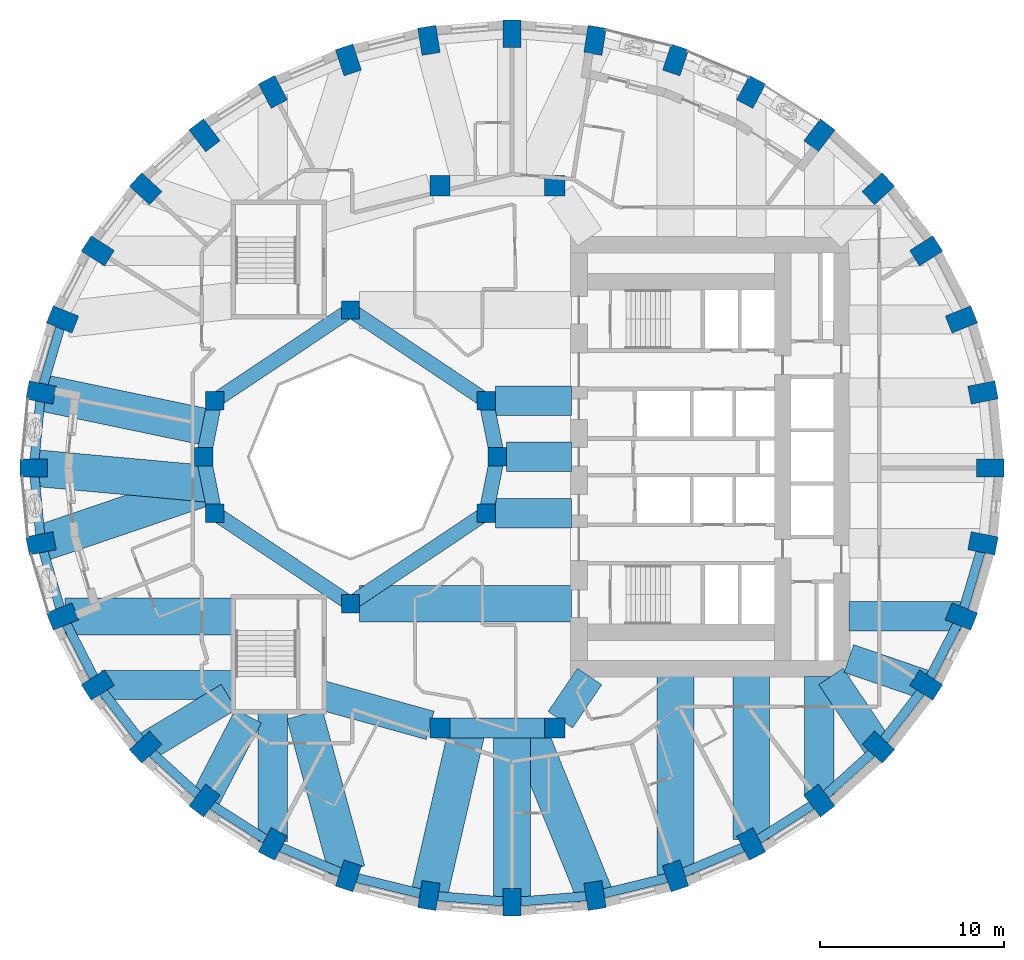
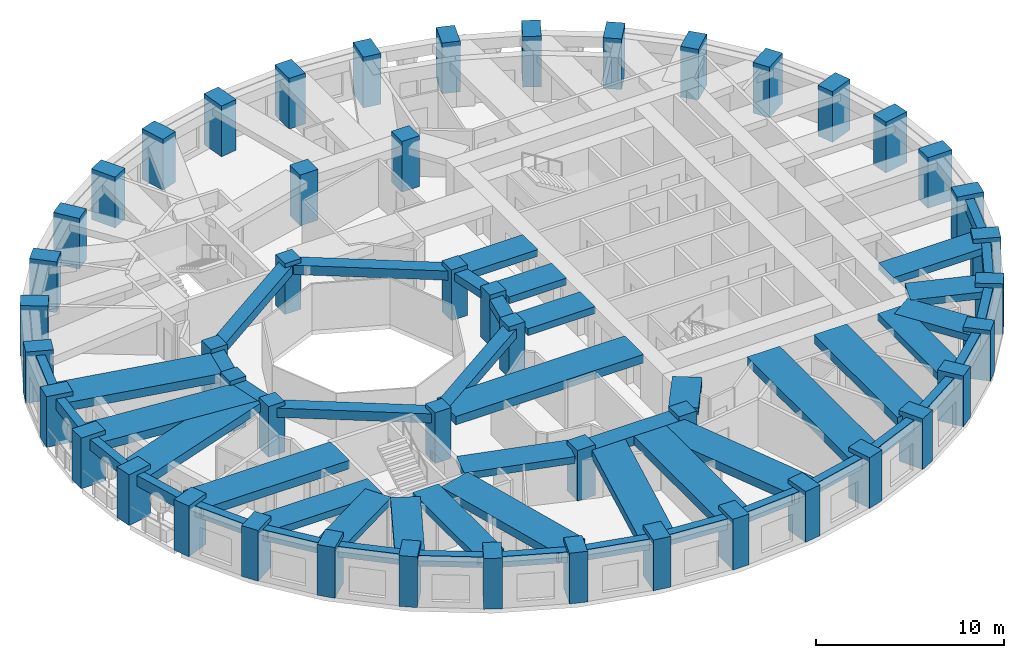
# One storey, part 1 of 12: 52 beams, 48 columns.
"""IFC4 building model written with IfcOpenShell, lengths in metres."""

from ifc_helpers import new_model, si_unit, direction, frame, origin, origin_2d, place, context, subcontext, project, spatial, rectangle, extrude, material, material_profile, profile_set, type_object, element, save


model = new_model("IFC4")

# Units and contexts
model_context = context("Model", 3, precision=1e-05, world=origin(), true_north=direction((0.0, 1.0)))
body_context = subcontext(model_context, "Body", "Model", "MODEL_VIEW")
ifc_project = project(units=[si_unit("LENGTHUNIT", "METRE"), si_unit("AREAUNIT", "SQUARE_METRE"), si_unit("VOLUMEUNIT", "CUBIC_METRE"), si_unit("PLANEANGLEUNIT", "RADIAN"), si_unit("MASSUNIT", "GRAM", prefix="KILO")], contexts=[model_context])

# Site, building, storey
site_placement = place(None, origin())
site = spatial("IfcSite", under=ifc_project, at=site_placement, CompositionType="ELEMENT")
building_placement = place(site_placement, origin())
building = spatial("IfcBuilding", under=site, at=building_placement, Name="Taillehof Tower", CompositionType="ELEMENT")
storey_placement = place(building_placement, frame((0.0, 0.0, 98.800048828125)))
storey = spatial("IfcBuildingStorey", under=building, at=storey_placement, Name="L27", CompositionType="ELEMENT", Elevation=98.800048828125)

# Columns
ifc_material_1 = material(Name="Concrete C50/60", Category="concrete")
ifc_material_profile_1 = material_profile(ifc_material_1, rectangle(XDim=1.0, YDim=1.0, at=origin_2d()), Name="RC 1000x1000")
ifc_profile_set_1 = profile_set([ifc_material_profile_1], Name="Concrete C50/60")
column_type_1 = type_object("IfcColumnType", Name="Atrium ring column C50/60 1000x1000", PredefinedType="COLUMN", material=ifc_profile_set_1)
for number, where, z_axis, x_axis, name in (
    (1, (0.0, 0.0, 0.0), (0.0, 0.0, 1.0), (1.0, 0.0, 0.0), "Column AC01"),
    (2, (-0.60888671875, 3.0615234375, 0.0), (0.0, 0.0, 1.0), (1.0, 0.0, 0.0), "Column AC02"),
    (3, (-8.0, 8.0, 0.0), (0.0, 0.0, 1.0), (1.0, 0.0, 0.0), "Column AC05"),
    (4, (-15.39111328125, 3.0615234375, 0.0), (0.0, 0.0, 1.0), (1.0, 0.0, 0.0), "Column AC08"),
    (5, (-16.0, 0.0, 0.0), (0.0, 0.0, 1.0), (1.0, 0.0, 0.0), "Column AC09"),
    (6, (-15.39111328125, -3.0615234375, 0.0), (0.0, 0.0, 1.0), (1.0, 0.0, 0.0), "Column AC10"),
    (7, (-8.0, -8.0, 0.0), (0.0, 0.0, 1.0), (1.0, 0.0, 0.0), "Column AC13"),
    (8, (-0.60888671875, -3.0615234375, 0.0), (0.0, 0.0, 1.0), (1.0, 0.0, 0.0), "Column AC16"),
):
    element("IfcColumn", number, at=place(storey_placement, frame(where, z_axis=z_axis, x_axis=x_axis)), inside=storey, type_object=column_type_1, Name=name, PredefinedType="COLUMN", context=body_context, shape_type="SweptSolid", body=[
        extrude(rectangle(XDim=1.0, YDim=1.0, at=origin_2d()), origin(), (0.0, 0.0, 1.0), 3.300048828125),
    ])
ifc_material_2 = material(Name="Concrete C50/60", Category="concrete")
ifc_material_profile_2 = material_profile(ifc_material_2, rectangle(XDim=1.10009765625, YDim=1.10009765625, at=origin_2d()), Name="RC 1100x1100")
ifc_profile_set_2 = profile_set([ifc_material_profile_2], Name="Concrete C50/60")
column_type_2 = type_object("IfcColumnType", Name="Mid-ring column C50/60 1100x1100", PredefinedType="COLUMN", material=ifc_profile_set_2)
for number, where, z_axis, x_axis, name in (
    (9, (3.125732421875, 14.772216796875, 0.0), (0.0, 0.0, 1.0), (1.0, 0.0, 0.0), "Column MC05"),
    (10, (-3.125732421875, -14.772216796875, 0.0), (0.0, 0.0, 1.0), (1.0, 0.0, 0.0), "Column MC14"),
    (11, (3.125732421875, -14.772216796875, 0.0), (0.0, 0.0, 1.0), (1.0, 0.0, 0.0), "Column MC15"),
):
    element("IfcColumn", number, at=place(storey_placement, frame(where, z_axis=z_axis, x_axis=x_axis)), inside=storey, type_object=column_type_2, Name=name, PredefinedType="COLUMN", context=body_context, shape_type="SweptSolid", body=[
        extrude(rectangle(XDim=1.10009765625, YDim=1.10009765625, at=origin_2d()), origin(), (0.0, 0.0, 1.0), 3.300048828125),
    ])
ifc_material_3 = material(Name="Concrete C60/75", Category="concrete")
ifc_material_profile_3 = material_profile(ifc_material_3, rectangle(XDim=1.10009765625, YDim=1.10009765625, at=origin_2d()), Name="RC 1100x1100")
ifc_profile_set_3 = profile_set([ifc_material_profile_3], Name="Concrete C60/75")
column_type_3 = type_object("IfcColumnType", Name="Mid-ring column C60/75 1100x1100", PredefinedType="COLUMN", material=ifc_profile_set_3)
column_placement = place(storey_placement, frame((-3.125732421875, 14.772216796875, 0.0), z_axis=(0.0, 0.0, 1.0), x_axis=(1.0, 0.0, 0.0)))
element("IfcColumn", 12, at=column_placement, inside=storey, type_object=column_type_3, Name="Column MC06", PredefinedType="COLUMN", context=body_context, shape_type="SweptSolid", body=[
    extrude(rectangle(XDim=1.10009765625, YDim=1.10009765625, at=origin_2d()), origin(), (0.0, 0.0, 1.0), 3.300048828125),
])
ifc_material_4 = material(Name="Concrete C70/85", Category="concrete")
ifc_material_profile_4 = material_profile(ifc_material_4, rectangle(XDim=1.5, YDim=1.0, at=origin_2d()), Name="RC 1500x1000")
ifc_profile_set_4 = profile_set([ifc_material_profile_4], Name="Concrete C70/85")
column_type_4 = type_object("IfcColumnType", Name="Ring column C70/85 1500x1000", PredefinedType="COLUMN", material=ifc_profile_set_4)
for number, where, z_axis, x_axis, name in (
    (13, (26.85009765625, -0.60009765625, 0.0), (0.0, 0.0, 1.0), (1.0, 0.0, 0.0), "Ring column RC01"),
    (14, (26.454345703125, 3.5068359375, 0.0), (0.0, 0.0, 1.0), (0.981757466121, 0.190137523166, 0.0), "Ring column RC02"),
    (15, (25.279052734375, 7.48876953125, 0.0), (0.0, 0.0, 1.0), (0.928550110352, 0.371207075048, 0.0), "Ring column RC03"),
    (16, (23.35986328125, 11.22509765625, 0.0), (0.0, 0.0, 1.0), (0.844511454562, 0.535537489923, 0.0), "Ring column RC04"),
    (17, (20.75537109375, 14.60205078125, 0.0), (0.0, 0.0, 1.0), (0.735332034083, 0.677707016085, 0.0), "Ring column RC05"),
    (18, (17.544677734375, 17.516845703125, 0.0), (0.0, 0.0, 1.0), (0.607074228939, 0.794645128694, 0.0), "Ring column RC06"),
    (19, (13.824951171875, 19.881591796875, 0.0), (0.0, 0.0, 1.0), (0.465283017627, 0.885161970211, 0.0), "Ring column RC07"),
    (20, (9.709716796875, 21.623779296875, 0.0), (0.0, 0.0, 1.0), (0.314554972703, 0.949239258116, 0.0), "Ring column RC08"),
    (21, (5.323486328125, 22.690673828125, 0.0), (0.0, 0.0, 1.0), (0.158507038215, 0.987357847407, 0.0), "Ring column RC09"),
    (22, (0.800048828125, 23.050048828125, 0.0), (0.0, 0.0, 1.0), (0.0, 1.0, 0.0), "Ring column RC10"),
    (23, (-3.7236328125, 22.690673828125, 0.0), (0.0, 0.0, 1.0), (-0.158507038215, 0.987357847407, 0.0), "Ring column RC11"),
    (24, (-8.109619140625, 21.623779296875, 0.0), (0.0, 0.0, 1.0), (-0.314554972703, 0.949239258116, 0.0), "Ring column RC12"),
    (25, (-12.22509765625, 19.881591796875, 0.0), (0.0, 0.0, 1.0), (-0.465283017627, 0.885161970211, 0.0), "Ring column RC13"),
    (26, (-15.944580078125, 17.516845703125, 0.0), (0.0, 0.0, 1.0), (-0.607074228939, 0.794645128694, 0.0), "Ring column RC14"),
    (27, (-19.155517578125, 14.60205078125, 0.0), (0.0, 0.0, 1.0), (-0.735332034083, 0.677707016085, 0.0), "Ring column RC15"),
    (28, (-21.760009765625, 11.22509765625, 0.0), (0.0, 0.0, 1.0), (-0.844511454562, 0.535537489923, 0.0), "Ring column RC16"),
    (29, (-23.678955078125, 7.48876953125, 0.0), (0.0, 0.0, 1.0), (-0.928550110352, 0.371207075048, 0.0), "Ring column RC17"),
    (30, (-24.854248046875, 3.5068359375, 0.0), (0.0, 0.0, 1.0), (-0.981757466121, 0.190137523166, 0.0), "Ring column RC18"),
    (31, (-25.25, -0.60009765625, 0.0), (0.0, 0.0, 1.0), (-1.0, 0.0, 0.0), "Ring column RC19"),
    (32, (-24.854248046875, -4.706787109375, 0.0), (0.0, 0.0, 1.0), (-0.981757466121, -0.190137523166, 0.0), "Ring column RC20"),
    (33, (-23.678955078125, -8.688720703125, 0.0), (0.0, 0.0, 1.0), (-0.928550110352, -0.371207075048, 0.0), "Ring column RC21"),
    (34, (-21.760009765625, -12.425048828125, 0.0), (0.0, 0.0, 1.0), (-0.844511454562, -0.535537489923, 0.0), "Ring column RC22"),
    (35, (-19.155517578125, -15.802001953125, 0.0), (0.0, 0.0, 1.0), (-0.735332034083, -0.677707016085, 0.0), "Ring column RC23"),
    (36, (-15.944580078125, -18.717041015625, 0.0), (0.0, 0.0, 1.0), (-0.607074228939, -0.794645128694, 0.0), "Ring column RC24"),
    (37, (-12.22509765625, -21.08154296875, 0.0), (0.0, 0.0, 1.0), (-0.465283017627, -0.885161970211, 0.0), "Ring column RC25"),
    (38, (-8.109619140625, -22.82373046875, 0.0), (0.0, 0.0, 1.0), (-0.314554972703, -0.949239258116, 0.0), "Ring column RC26"),
    (39, (-3.7236328125, -23.890625, 0.0), (0.0, 0.0, 1.0), (-0.158507038215, -0.987357847407, 0.0), "Ring column RC27"),
    (40, (0.800048828125, -24.25, 0.0), (0.0, 0.0, 1.0), (0.0, -1.0, 0.0), "Ring column RC28"),
    (41, (5.323486328125, -23.890625, 0.0), (0.0, 0.0, 1.0), (0.158507038215, -0.987357847407, 0.0), "Ring column RC29"),
    (42, (9.709716796875, -22.82373046875, 0.0), (0.0, 0.0, 1.0), (0.314554972703, -0.949239258116, 0.0), "Ring column RC30"),
    (43, (13.824951171875, -21.08154296875, 0.0), (0.0, 0.0, 1.0), (0.465283017627, -0.885161970211, 0.0), "Ring column RC31"),
    (44, (17.544677734375, -18.717041015625, 0.0), (0.0, 0.0, 1.0), (0.607074228939, -0.794645128694, 0.0), "Ring column RC32"),
    (45, (20.75537109375, -15.802001953125, 0.0), (0.0, 0.0, 1.0), (0.735332034083, -0.677707016085, 0.0), "Ring column RC33"),
    (46, (23.35986328125, -12.425048828125, 0.0), (0.0, 0.0, 1.0), (0.844511454562, -0.535537489923, 0.0), "Ring column RC34"),
    (47, (25.279052734375, -8.688720703125, 0.0), (0.0, 0.0, 1.0), (0.928550110352, -0.371207075048, 0.0), "Ring column RC35"),
    (48, (26.454345703125, -4.706787109375, 0.0), (0.0, 0.0, 1.0), (0.981757466121, -0.190137523166, 0.0), "Ring column RC36"),
):
    element("IfcColumn", number, at=place(storey_placement, frame(where, z_axis=z_axis, x_axis=x_axis)), inside=storey, type_object=column_type_4, Name=name, PredefinedType="COLUMN", context=body_context, shape_type="SweptSolid", body=[
        extrude(rectangle(XDim=1.5, YDim=1.0, at=origin_2d()), origin(), (0.0, 0.0, 1.0), 3.300048828125),
    ])

# Beams
ifc_material_5 = material(Name="Concrete C50/60", Category="concrete")
ifc_material_profile_5 = material_profile(ifc_material_5, rectangle(XDim=0.800048828125, YDim=0.5, at=origin_2d()), Name="RC 800x500")
ifc_profile_set_5 = profile_set([ifc_material_profile_5], Name="Concrete C50/60")
beam_type_1 = type_object("IfcBeamType", Name="Atrium ring beam C50/60 800x500", PredefinedType="BEAM", material=ifc_profile_set_5)
for number, where, z_axis, x_axis, name in (
    (49, (0.0, 0.0, 2.77001953125), (-0.195063155143, 0.980790683839, 0.0), (-0.980790683839, -0.195063155143, 0.0), "Atrium ring beam AB01"),
    (50, (-15.39111328125, 3.0615234375, 2.77001953125), (-0.195063155143, -0.980790683839, 0.0), (0.980790683839, -0.195063155143, 0.0), "Atrium ring beam AB04"),
    (51, (-16.0, 0.0, 2.77001953125), (0.195063155143, -0.980790683839, 0.0), (0.980790683839, 0.195063155143, 0.0), "Atrium ring beam AB05"),
    (52, (-0.60888671875, -3.0615234375, 2.77001953125), (0.195063155143, 0.980790683839, 0.0), (-0.980790683839, 0.195063155143, 0.0), "Atrium ring beam AB08"),
):
    element("IfcBeam", number, at=place(storey_placement, frame(where, z_axis=z_axis, x_axis=x_axis)), inside=storey, type_object=beam_type_1, Name=name, PredefinedType="BEAM", context=body_context, shape_type="SweptSolid", body=[
        extrude(rectangle(XDim=0.800048828125, YDim=0.5, at=origin_2d()), origin(), (0.0, 0.0, 1.0), 3.12158203125),
    ])
ifc_material_6 = material(Name="Concrete C50/60", Category="concrete")
ifc_material_profile_6 = material_profile(ifc_material_6, rectangle(XDim=0.800048828125, YDim=0.60009765625, at=origin_2d()), Name="RC 800x600")
ifc_profile_set_6 = profile_set([ifc_material_profile_6], Name="Concrete C50/60")
beam_type_2 = type_object("IfcBeamType", Name="Atrium ring beam C50/60 800x600", PredefinedType="BEAM", material=ifc_profile_set_6)
for number, where, z_axis, x_axis, name in (
    (53, (-0.60888671875, 3.0615234375, 2.719970703125), (-0.831475195687, 0.555561876804, 0.0), (-0.555561876804, -0.831475195687, 0.0), "Atrium ring beam AB02"),
    (54, (-8.0, 8.0, 2.719970703125), (-0.831475195687, -0.555561876804, 0.0), (0.555561876804, -0.831475195687, 0.0), "Atrium ring beam AB03"),
    (55, (-15.39111328125, -3.0615234375, 2.719970703125), (0.831475195687, -0.555561876804, 0.0), (0.555561876804, 0.831475195687, 0.0), "Atrium ring beam AB06"),
    (56, (-8.0, -8.0, 2.719970703125), (0.831475195687, 0.555561876804, 0.0), (-0.555561876804, 0.831475195687, 0.0), "Atrium ring beam AB07"),
):
    element("IfcBeam", number, at=place(storey_placement, frame(where, z_axis=z_axis, x_axis=x_axis)), inside=storey, type_object=beam_type_2, Name=name, PredefinedType="BEAM", context=body_context, shape_type="SweptSolid", body=[
        extrude(rectangle(XDim=0.800048828125, YDim=0.60009765625, at=origin_2d()), origin(), (0.0, 0.0, 1.0), 8.88916015625),
    ])
ifc_material_7 = material(Name="Concrete C50/60", Category="concrete")
ifc_material_profile_7 = material_profile(ifc_material_7, rectangle(XDim=1.10009765625, YDim=0.60009765625, at=origin_2d()), Name="RC 1100x600")
ifc_profile_set_7 = profile_set([ifc_material_profile_7], Name="Concrete C50/60")
beam_type_3 = type_object("IfcBeamType", Name="Mid-ring beam C50/60 1100x600", PredefinedType="BEAM", material=ifc_profile_set_7)
beam_1_placement = place(storey_placement, frame((-3.125732421875, -14.772216796875, 2.719970703125), z_axis=(1.0, 0.0, 0.0), x_axis=(0.0, 1.0, 0.0)))
element("IfcBeam", 57, at=beam_1_placement, inside=storey, type_object=beam_type_3, Name="Mid-ring beam MB02", PredefinedType="BEAM", context=body_context, shape_type="SweptSolid", body=[
    extrude(rectangle(XDim=1.10009765625, YDim=0.60009765625, at=origin_2d()), origin(), (0.0, 0.0, 1.0), 6.25146484375),
])
ifc_material_8 = material(Name="Concrete C50/60", Category="concrete")
ifc_material_profile_8 = material_profile(ifc_material_8, rectangle(XDim=1.60009765625, YDim=0.449951171875, at=origin_2d()), Name="RC 1600x450")
ifc_profile_set_8 = profile_set([ifc_material_profile_8], Name="Concrete C50/60")
beam_type_4 = type_object("IfcBeamType", Name="Radial band beam C50/60 1600x450", PredefinedType="BEAM", material=ifc_profile_set_8)
beam_2_placement = place(storey_placement, frame((-21.54736328125, -12.425048828125, 2.794921875), z_axis=(1.0, 0.0, 0.0), x_axis=(0.0, 1.0, 0.0)))
element("IfcBeam", 58, at=beam_2_placement, inside=storey, type_object=beam_type_4, Name="Radial band beam RB22", PredefinedType="BEAM", context=body_context, shape_type="SweptSolid", body=[
    extrude(rectangle(XDim=1.60009765625, YDim=0.449951171875, at=origin_2d()), origin(), (0.0, 0.0, 1.0), 7.097412109375),
])
beam_3_placement = place(storey_placement, frame((-19.155517578125, -15.802001953125, 2.794921875), z_axis=(0.856794973818, 0.515657224171, 0.0), x_axis=(-0.515657224171, 0.856794973818, 0.0)))
element("IfcBeam", 59, at=beam_3_placement, inside=storey, type_object=beam_type_4, Name="Radial band beam RB23", PredefinedType="BEAM", context=body_context, shape_type="SweptSolid", body=[
    extrude(rectangle(XDim=1.60009765625, YDim=0.449951171875, at=origin_2d()), origin(), (0.0, 0.0, 1.0), 5.28369140625),
])
beam_4_placement = place(storey_placement, frame((-15.944580078125, -18.717041015625, 2.794921875), z_axis=(0.460119038647, 0.8878572353, 0.0), x_axis=(-0.8878572353, 0.460119038647, 0.0)))
element("IfcBeam", 60, at=beam_4_placement, inside=storey, type_object=beam_type_4, Name="Radial band beam RB24", PredefinedType="BEAM", context=body_context, shape_type="SweptSolid", body=[
    extrude(rectangle(XDim=1.60009765625, YDim=0.449951171875, at=origin_2d()), origin(), (0.0, 0.0, 1.0), 5.1796875),
])
beam_5_placement = place(storey_placement, frame((-12.22509765625, -20.9443359375, 2.794921875), z_axis=(0.0, 1.0, 0.0), x_axis=(-1.0, 0.0, 0.0)))
element("IfcBeam", 61, at=beam_5_placement, inside=storey, type_object=beam_type_4, Name="Radial band beam RB25", PredefinedType="BEAM", context=body_context, shape_type="SweptSolid", body=[
    extrude(rectangle(XDim=1.60009765625, YDim=0.449951171875, at=origin_2d()), origin(), (0.0, 0.0, 1.0), 6.994384765625),
])
beam_6_placement = place(storey_placement, frame((17.544677734375, -18.421875, 2.794921875), z_axis=(0.0, 1.0, 0.0), x_axis=(-1.0, 0.0, 0.0)))
element("IfcBeam", 62, at=beam_6_placement, inside=storey, type_object=beam_type_4, Name="Radial band beam RB32", PredefinedType="BEAM", context=body_context, shape_type="SweptSolid", body=[
    extrude(rectangle(XDim=1.60009765625, YDim=0.449951171875, at=origin_2d()), origin(), (0.0, 0.0, 1.0), 6.471923828125),
])
beam_7_placement = place(storey_placement, frame((20.75537109375, -15.802001953125, 2.794921875), z_axis=(-0.557822939952, 0.829959979555, 0.0), x_axis=(-0.829959979555, -0.557822939952, 0.0)))
element("IfcBeam", 63, at=beam_7_placement, inside=storey, type_object=beam_type_4, Name="Radial band beam RB33", PredefinedType="BEAM", context=body_context, shape_type="SweptSolid", body=[
    extrude(rectangle(XDim=1.60009765625, YDim=0.449951171875, at=origin_2d()), origin(), (0.0, 0.0, 1.0), 4.630859375),
])
beam_8_placement = place(storey_placement, frame((23.35986328125, -12.425048828125, 2.794921875), z_axis=(-0.946037817118, 0.324056242932, 0.0), x_axis=(-0.324056242932, -0.946037817118, 0.0)))
element("IfcBeam", 64, at=beam_8_placement, inside=storey, type_object=beam_type_4, Name="Radial band beam RB34", PredefinedType="BEAM", context=body_context, shape_type="SweptSolid", body=[
    extrude(rectangle(XDim=1.60009765625, YDim=0.449951171875, at=origin_2d()), origin(), (0.0, 0.0, 1.0), 4.447265625),
])
beam_9_placement = place(storey_placement, frame((25.2275390625, -8.688720703125, 2.794921875), z_axis=(-1.0, 0.0, 0.0), x_axis=(0.0, -1.0, 0.0)))
element("IfcBeam", 65, at=beam_9_placement, inside=storey, type_object=beam_type_4, Name="Radial band beam RB35", PredefinedType="BEAM", context=body_context, shape_type="SweptSolid", body=[
    extrude(rectangle(XDim=1.60009765625, YDim=0.449951171875, at=origin_2d()), origin(), (0.0, 0.0, 1.0), 6.07763671875),
])
beam_10_placement = place(storey_placement, frame((0.5, 0.0, 2.794921875), z_axis=(1.0, 0.0, 0.0), x_axis=(0.0, 1.0, 0.0)))
element("IfcBeam", 66, at=beam_10_placement, inside=storey, type_object=beam_type_4, Name="Inner band beam IB101", PredefinedType="BEAM", context=body_context, shape_type="SweptSolid", body=[
    extrude(rectangle(XDim=1.60009765625, YDim=0.449951171875, at=origin_2d()), origin(), (0.0, 0.0, 1.0), 3.550048828125),
])
for number, where, z_axis, x_axis, name in (
    (67, (-0.10888671875, 3.0615234375, 2.794921875), (1.0, 0.0, 0.0), (0.0, 1.0, 0.0), "Inner band beam IB102"),
    (68, (-0.10888671875, -3.0615234375, 2.794921875), (1.0, 0.0, 0.0), (0.0, 1.0, 0.0), "Inner band beam IB116"),
):
    element("IfcBeam", number, at=place(storey_placement, frame(where, z_axis=z_axis, x_axis=x_axis)), inside=storey, type_object=beam_type_4, Name=name, PredefinedType="BEAM", context=body_context, shape_type="SweptSolid", body=[
        extrude(rectangle(XDim=1.60009765625, YDim=0.449951171875, at=origin_2d()), origin(), (0.0, 0.0, 1.0), 4.158935546875),
    ])
beam_11_placement = place(storey_placement, frame((-3.655517578125, -14.624755859375, 2.794921875), z_axis=(-0.963459369536, 0.267854518821, 0.0), x_axis=(-0.267854518821, -0.963459369536, 0.0)))
element("IfcBeam", 69, at=beam_11_placement, inside=storey, type_object=beam_type_4, Name="Inner band beam IB214", PredefinedType="BEAM", context=body_context, shape_type="SweptSolid", body=[
    extrude(rectangle(XDim=1.60009765625, YDim=0.449951171875, at=origin_2d()), origin(), (0.0, 0.0, 1.0), 6.096923828125),
])
beam_12_placement = place(storey_placement, frame((3.433837890625, -14.31640625, 2.794921875), z_axis=(0.560112043398, 0.828416862962, 0.0), x_axis=(-0.828416862962, 0.560112043398, 0.0)))
element("IfcBeam", 70, at=beam_12_placement, inside=storey, type_object=beam_type_4, Name="Inner band beam IB215", PredefinedType="BEAM", context=body_context, shape_type="SweptSolid", body=[
    extrude(rectangle(XDim=1.60009765625, YDim=0.449951171875, at=origin_2d()), origin(), (0.0, 0.0, 1.0), 2.84619140625),
])
ifc_material_9 = material(Name="Concrete C50/60", Category="concrete")
ifc_material_profile_9 = material_profile(ifc_material_9, rectangle(XDim=2.0, YDim=0.550048828125, at=origin_2d()), Name="RC 2000x550")
ifc_profile_set_9 = profile_set([ifc_material_profile_9], Name="Concrete C50/60")
beam_type_5 = type_object("IfcBeamType", Name="Radial band beam C50/60 2000x550", PredefinedType="BEAM", material=ifc_profile_set_9)
beam_13_placement = place(storey_placement, frame((-24.854248046875, 3.5068359375, 2.744873046875), z_axis=(0.978853404319, -0.204562980164, 0.0), x_axis=(0.204562980164, 0.978853404319, 0.0)))
element("IfcBeam", 71, at=beam_13_placement, inside=storey, type_object=beam_type_5, Name="Radial band beam RB18", PredefinedType="BEAM", context=body_context, shape_type="SweptSolid", body=[
    extrude(rectangle(XDim=2.0, YDim=0.550048828125, at=origin_2d()), origin(), (0.0, 0.0, 1.0), 9.36865234375),
])
beam_14_placement = place(storey_placement, frame((-25.25, -0.60009765625, 2.744873046875), z_axis=(0.995859515154, -0.090905588816, 0.0), x_axis=(0.090905588816, 0.995859515154, 0.0)))
element("IfcBeam", 72, at=beam_14_placement, inside=storey, type_object=beam_type_5, Name="Radial band beam RB19", PredefinedType="BEAM", context=body_context, shape_type="SweptSolid", body=[
    extrude(rectangle(XDim=2.0, YDim=0.550048828125, at=origin_2d()), origin(), (0.0, 0.0, 1.0), 9.58251953125),
])
beam_15_placement = place(storey_placement, frame((-24.854248046875, -4.706787109375, 2.744873046875), z_axis=(0.946822052625, 0.321757673822, 0.0), x_axis=(-0.321757673822, 0.946822052625, 0.0)))
element("IfcBeam", 73, at=beam_15_placement, inside=storey, type_object=beam_type_5, Name="Radial band beam RB20", PredefinedType="BEAM", context=body_context, shape_type="SweptSolid", body=[
    extrude(rectangle(XDim=2.0, YDim=0.550048828125, at=origin_2d()), origin(), (0.0, 0.0, 1.0), 9.685791015625),
])
beam_16_placement = place(storey_placement, frame((-23.54736328125, -8.688720703125, 2.744873046875), z_axis=(1.0, 0.0, 0.0), x_axis=(0.0, 1.0, 0.0)))
element("IfcBeam", 74, at=beam_16_placement, inside=storey, type_object=beam_type_5, Name="Radial band beam RB21", PredefinedType="BEAM", context=body_context, shape_type="SweptSolid", body=[
    extrude(rectangle(XDim=2.0, YDim=0.550048828125, at=origin_2d()), origin(), (0.0, 0.0, 1.0), 9.097412109375),
])
beam_17_placement = place(storey_placement, frame((-8.186767578125, -22.539306640625, 2.744873046875), z_axis=(-0.261461600872, 0.965213878511, 0.0), x_axis=(-0.965213878511, -0.261461600872, 0.0)))
element("IfcBeam", 75, at=beam_17_placement, inside=storey, type_object=beam_type_5, Name="Radial band beam RB26", PredefinedType="BEAM", context=body_context, shape_type="SweptSolid", body=[
    extrude(rectangle(XDim=2.0, YDim=0.550048828125, at=origin_2d()), origin(), (0.0, 0.0, 1.0), 8.835205078125),
])
beam_18_placement = place(storey_placement, frame((-3.7236328125, -23.890625, 2.744873046875), z_axis=(0.224215346781, 0.974539623755, 0.0), x_axis=(-0.974539623755, 0.224215346781, 0.0)))
element("IfcBeam", 76, at=beam_18_placement, inside=storey, type_object=beam_type_5, Name="Radial band beam RB27", PredefinedType="BEAM", context=body_context, shape_type="SweptSolid", body=[
    extrude(rectangle(XDim=2.0, YDim=0.550048828125, at=origin_2d()), origin(), (0.0, 0.0, 1.0), 9.356689453125),
])
beam_19_placement = place(storey_placement, frame((0.800048828125, -24.25, 2.744873046875), z_axis=(0.0, 1.0, 0.0), x_axis=(-1.0, 0.0, 0.0)))
element("IfcBeam", 77, at=beam_19_placement, inside=storey, type_object=beam_type_5, Name="Radial band beam RB28", PredefinedType="BEAM", context=body_context, shape_type="SweptSolid", body=[
    extrude(rectangle(XDim=2.0, YDim=0.550048828125, at=origin_2d()), origin(), (0.0, 0.0, 1.0), 9.477783203125),
])
beam_20_placement = place(storey_placement, frame((5.323486328125, -23.890625, 2.744873046875), z_axis=(-0.375801287916, 0.926700270854, 0.0), x_axis=(-0.926700270854, -0.375801287916, 0.0)))
element("IfcBeam", 78, at=beam_20_placement, inside=storey, type_object=beam_type_5, Name="Radial band beam RB29", PredefinedType="BEAM", context=body_context, shape_type="SweptSolid", body=[
    extrude(rectangle(XDim=2.0, YDim=0.550048828125, at=origin_2d()), origin(), (0.0, 0.0, 1.0), 9.839599609375),
])
beam_21_placement = place(storey_placement, frame((9.709716796875, -22.756591796875, 2.744873046875), z_axis=(0.0, 1.0, 0.0), x_axis=(-1.0, 0.0, 0.0)))
element("IfcBeam", 79, at=beam_21_placement, inside=storey, type_object=beam_type_5, Name="Radial band beam RB30", PredefinedType="BEAM", context=body_context, shape_type="SweptSolid", body=[
    extrude(rectangle(XDim=2.0, YDim=0.550048828125, at=origin_2d()), origin(), (0.0, 0.0, 1.0), 10.806640625),
])
beam_22_placement = place(storey_placement, frame((13.824951171875, -20.839599609375, 2.744873046875), z_axis=(0.0, 1.0, 0.0), x_axis=(-1.0, 0.0, 0.0)))
element("IfcBeam", 80, at=beam_22_placement, inside=storey, type_object=beam_type_5, Name="Radial band beam RB31", PredefinedType="BEAM", context=body_context, shape_type="SweptSolid", body=[
    extrude(rectangle(XDim=2.0, YDim=0.550048828125, at=origin_2d()), origin(), (0.0, 0.0, 1.0), 8.8896484375),
])
beam_23_placement = place(storey_placement, frame((-7.5, -8.0, 2.744873046875), z_axis=(1.0, 0.0, 0.0), x_axis=(0.0, 1.0, 0.0)))
element("IfcBeam", 81, at=beam_23_placement, inside=storey, type_object=beam_type_5, Name="Inner band beam IB113", PredefinedType="BEAM", context=body_context, shape_type="SweptSolid", body=[
    extrude(rectangle(XDim=2.0, YDim=0.550048828125, at=origin_2d()), origin(), (0.0, 0.0, 1.0), 11.550048828125),
])
ifc_material_10 = material(Name="Concrete C50/60", Category="concrete")
ifc_material_profile_10 = material_profile(ifc_material_10, rectangle(XDim=0.5, YDim=0.699951171875, at=origin_2d()), Name="RC 500x700")
ifc_profile_set_10 = profile_set([ifc_material_profile_10], Name="Concrete C50/60")
beam_type_6 = type_object("IfcBeamType", Name="Spandrel beam C50/60 500x700", PredefinedType="SPANDREL", material=ifc_profile_set_10)
beam_24_placement = place(storey_placement, frame((-23.678955078125, 7.48876953125, 2.669921875), z_axis=(-0.28308309012, -0.95909538842, 0.0), x_axis=(0.95909538842, -0.28308309012, 0.0)))
element("IfcBeam", 82, at=beam_24_placement, inside=storey, type_object=beam_type_6, Name="Spandrel beam SB17", PredefinedType="SPANDREL", context=body_context, shape_type="SweptSolid", body=[
    extrude(rectangle(XDim=0.5, YDim=0.699951171875, at=origin_2d()), origin(), (0.0, 0.0, 1.0), 4.15185546875),
])
beam_25_placement = place(storey_placement, frame((-24.854248046875, 3.5068359375, 2.669921875), z_axis=(-0.095917608943, -0.995389276763, 0.0), x_axis=(0.995389276763, -0.095917608943, 0.0)))
element("IfcBeam", 83, at=beam_25_placement, inside=storey, type_object=beam_type_6, Name="Spandrel beam SB18", PredefinedType="SPANDREL", context=body_context, shape_type="SweptSolid", body=[
    extrude(rectangle(XDim=0.5, YDim=0.699951171875, at=origin_2d()), origin(), (0.0, 0.0, 1.0), 4.1259765625),
])
beam_26_placement = place(storey_placement, frame((-25.25, -0.60009765625, 2.669921875), z_axis=(0.09592325873, -0.995388732323, 0.0), x_axis=(0.995388732323, 0.09592325873, 0.0)))
element("IfcBeam", 84, at=beam_26_placement, inside=storey, type_object=beam_type_6, Name="Spandrel beam SB19", PredefinedType="SPANDREL", context=body_context, shape_type="SweptSolid", body=[
    extrude(rectangle(XDim=0.5, YDim=0.699951171875, at=origin_2d()), origin(), (0.0, 0.0, 1.0), 4.125732421875),
])
beam_27_placement = place(storey_placement, frame((-24.854248046875, -4.706787109375, 2.669921875), z_axis=(0.28308309012, -0.95909538842, 0.0), x_axis=(0.95909538842, 0.28308309012, 0.0)))
element("IfcBeam", 85, at=beam_27_placement, inside=storey, type_object=beam_type_6, Name="Spandrel beam SB20", PredefinedType="SPANDREL", context=body_context, shape_type="SweptSolid", body=[
    extrude(rectangle(XDim=0.5, YDim=0.699951171875, at=origin_2d()), origin(), (0.0, 0.0, 1.0), 4.15185546875),
])
beam_28_placement = place(storey_placement, frame((-23.678955078125, -8.688720703125, 2.669921875), z_axis=(0.456859381733, -0.889538928503, 0.0), x_axis=(0.889538928503, 0.456859381733, 0.0)))
element("IfcBeam", 86, at=beam_28_placement, inside=storey, type_object=beam_type_6, Name="Spandrel beam SB21", PredefinedType="SPANDREL", context=body_context, shape_type="SweptSolid", body=[
    extrude(rectangle(XDim=0.5, YDim=0.699951171875, at=origin_2d()), origin(), (0.0, 0.0, 1.0), 4.2001953125),
])
beam_29_placement = place(storey_placement, frame((-21.760009765625, -12.425048828125, 2.669921875), z_axis=(0.61071731561, -0.79184869793, 0.0), x_axis=(0.79184869793, 0.61071731561, 0.0)))
element("IfcBeam", 87, at=beam_29_placement, inside=storey, type_object=beam_type_6, Name="Spandrel beam SB22", PredefinedType="SPANDREL", context=body_context, shape_type="SweptSolid", body=[
    extrude(rectangle(XDim=0.5, YDim=0.699951171875, at=origin_2d()), origin(), (0.0, 0.0, 1.0), 4.2646484375),
])
beam_30_placement = place(storey_placement, frame((-19.155517578125, -15.802001953125, 2.669921875), z_axis=(0.740398416885, -0.672168270803, 0.0), x_axis=(0.672168270803, 0.740398416885, 0.0)))
element("IfcBeam", 88, at=beam_30_placement, inside=storey, type_object=beam_type_6, Name="Spandrel beam SB23", PredefinedType="SPANDREL", context=body_context, shape_type="SweptSolid", body=[
    extrude(rectangle(XDim=0.5, YDim=0.699951171875, at=origin_2d()), origin(), (0.0, 0.0, 1.0), 4.336669921875),
])
beam_31_placement = place(storey_placement, frame((-15.944580078125, -18.717041015625, 2.669921875), z_axis=(0.843912293293, -0.536481165773, 0.0), x_axis=(0.536481165773, 0.843912293293, 0.0)))
element("IfcBeam", 89, at=beam_31_placement, inside=storey, type_object=beam_type_6, Name="Spandrel beam SB24", PredefinedType="SPANDREL", context=body_context, shape_type="SweptSolid", body=[
    extrude(rectangle(XDim=0.5, YDim=0.699951171875, at=origin_2d()), origin(), (0.0, 0.0, 1.0), 4.407470703125),
])
beam_32_placement = place(storey_placement, frame((-12.22509765625, -21.08154296875, 2.669921875), z_axis=(0.920885046825, -0.389834234688, 0.0), x_axis=(0.389834234688, 0.920885046825, 0.0)))
element("IfcBeam", 90, at=beam_32_placement, inside=storey, type_object=beam_type_6, Name="Spandrel beam SB25", PredefinedType="SPANDREL", context=body_context, shape_type="SweptSolid", body=[
    extrude(rectangle(XDim=0.5, YDim=0.699951171875, at=origin_2d()), origin(), (0.0, 0.0, 1.0), 4.468994140625),
])
beam_33_placement = place(storey_placement, frame((-8.109619140625, -22.82373046875, 2.669921875), z_axis=(0.971665924588, -0.236358479847, 0.0), x_axis=(0.236358479847, 0.971665924588, 0.0)))
element("IfcBeam", 91, at=beam_33_placement, inside=storey, type_object=beam_type_6, Name="Spandrel beam SB26", PredefinedType="SPANDREL", context=body_context, shape_type="SweptSolid", body=[
    extrude(rectangle(XDim=0.5, YDim=0.699951171875, at=origin_2d()), origin(), (0.0, 0.0, 1.0), 4.513916015625),
])
beam_34_placement = place(storey_placement, frame((-3.7236328125, -23.890625, 2.669921875), z_axis=(0.996859260648, -0.079193525375, 0.0), x_axis=(0.079193525375, 0.996859260648, 0.0)))
element("IfcBeam", 92, at=beam_34_placement, inside=storey, type_object=beam_type_6, Name="Spandrel beam SB27", PredefinedType="SPANDREL", context=body_context, shape_type="SweptSolid", body=[
    extrude(rectangle(XDim=0.5, YDim=0.699951171875, at=origin_2d()), origin(), (0.0, 0.0, 1.0), 4.537841796875),
])
beam_35_placement = place(storey_placement, frame((0.800048828125, -24.25, 2.669921875), z_axis=(0.996858923208, 0.079197772828, 0.0), x_axis=(-0.079197772828, 0.996858923208, 0.0)))
element("IfcBeam", 93, at=beam_35_placement, inside=storey, type_object=beam_type_6, Name="Spandrel beam SB28", PredefinedType="SPANDREL", context=body_context, shape_type="SweptSolid", body=[
    extrude(rectangle(XDim=0.5, YDim=0.699951171875, at=origin_2d()), origin(), (0.0, 0.0, 1.0), 4.53759765625),
])
beam_36_placement = place(storey_placement, frame((5.323486328125, -23.890625, 2.669921875), z_axis=(0.971668945916, 0.23634605887, 0.0), x_axis=(-0.23634605887, 0.971668945916, 0.0)))
element("IfcBeam", 94, at=beam_36_placement, inside=storey, type_object=beam_type_6, Name="Spandrel beam SB29", PredefinedType="SPANDREL", context=body_context, shape_type="SweptSolid", body=[
    extrude(rectangle(XDim=0.5, YDim=0.699951171875, at=origin_2d()), origin(), (0.0, 0.0, 1.0), 4.51416015625),
])
beam_37_placement = place(storey_placement, frame((9.709716796875, -22.82373046875, 2.669921875), z_axis=(0.920876744153, 0.389853847074, 0.0), x_axis=(-0.389853847074, 0.920876744153, 0.0)))
element("IfcBeam", 95, at=beam_37_placement, inside=storey, type_object=beam_type_6, Name="Spandrel beam SB30", PredefinedType="SPANDREL", context=body_context, shape_type="SweptSolid", body=[
    extrude(rectangle(XDim=0.5, YDim=0.699951171875, at=origin_2d()), origin(), (0.0, 0.0, 1.0), 4.46875),
])
beam_38_placement = place(storey_placement, frame((13.824951171875, -21.08154296875, 2.669921875), z_axis=(0.843928234947, 0.536456087914, 0.0), x_axis=(-0.536456087914, 0.843928234947, 0.0)))
element("IfcBeam", 96, at=beam_38_placement, inside=storey, type_object=beam_type_6, Name="Spandrel beam SB31", PredefinedType="SPANDREL", context=body_context, shape_type="SweptSolid", body=[
    extrude(rectangle(XDim=0.5, YDim=0.699951171875, at=origin_2d()), origin(), (0.0, 0.0, 1.0), 4.40771484375),
])
beam_39_placement = place(storey_placement, frame((17.544677734375, -18.717041015625, 2.669921875), z_axis=(0.740372980414, 0.672196288202, 0.0), x_axis=(-0.672196288202, 0.740372980414, 0.0)))
element("IfcBeam", 97, at=beam_39_placement, inside=storey, type_object=beam_type_6, Name="Spandrel beam SB32", PredefinedType="SPANDREL", context=body_context, shape_type="SweptSolid", body=[
    extrude(rectangle(XDim=0.5, YDim=0.699951171875, at=origin_2d()), origin(), (0.0, 0.0, 1.0), 4.336669921875),
])
beam_40_placement = place(storey_placement, frame((20.75537109375, -15.802001953125, 2.669921875), z_axis=(0.61071731561, 0.79184869793, 0.0), x_axis=(-0.79184869793, 0.61071731561, 0.0)))
element("IfcBeam", 98, at=beam_40_placement, inside=storey, type_object=beam_type_6, Name="Spandrel beam SB33", PredefinedType="SPANDREL", context=body_context, shape_type="SweptSolid", body=[
    extrude(rectangle(XDim=0.5, YDim=0.699951171875, at=origin_2d()), origin(), (0.0, 0.0, 1.0), 4.2646484375),
])
beam_41_placement = place(storey_placement, frame((23.35986328125, -12.425048828125, 2.669921875), z_axis=(0.456905372708, 0.88951530644, 0.0), x_axis=(-0.88951530644, 0.456905372708, 0.0)))
element("IfcBeam", 99, at=beam_41_placement, inside=storey, type_object=beam_type_6, Name="Spandrel beam SB34", PredefinedType="SPANDREL", context=body_context, shape_type="SweptSolid", body=[
    extrude(rectangle(XDim=0.5, YDim=0.699951171875, at=origin_2d()), origin(), (0.0, 0.0, 1.0), 4.200439453125),
])
beam_42_placement = place(storey_placement, frame((25.279052734375, -8.688720703125, 2.669921875), z_axis=(0.28308309012, 0.95909538842, 0.0), x_axis=(-0.95909538842, 0.28308309012, 0.0)))
element("IfcBeam", 100, at=beam_42_placement, inside=storey, type_object=beam_type_6, Name="Spandrel beam SB35", PredefinedType="SPANDREL", context=body_context, shape_type="SweptSolid", body=[
    extrude(rectangle(XDim=0.5, YDim=0.699951171875, at=origin_2d()), origin(), (0.0, 0.0, 1.0), 4.15185546875),
])

save(model, "model.ifc")
